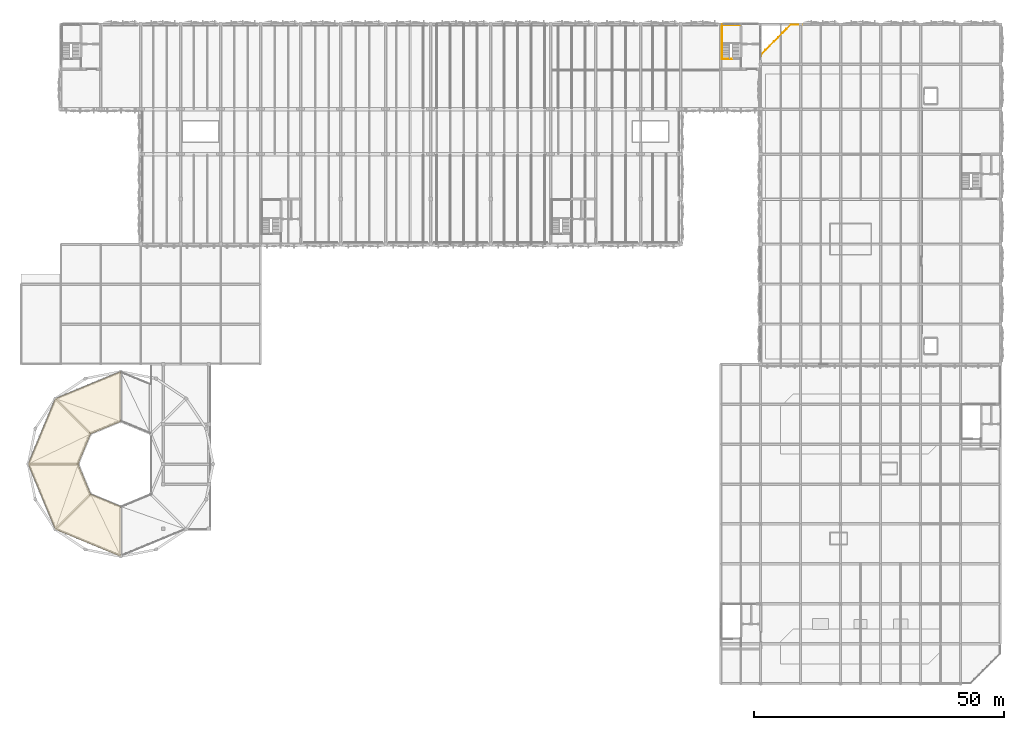
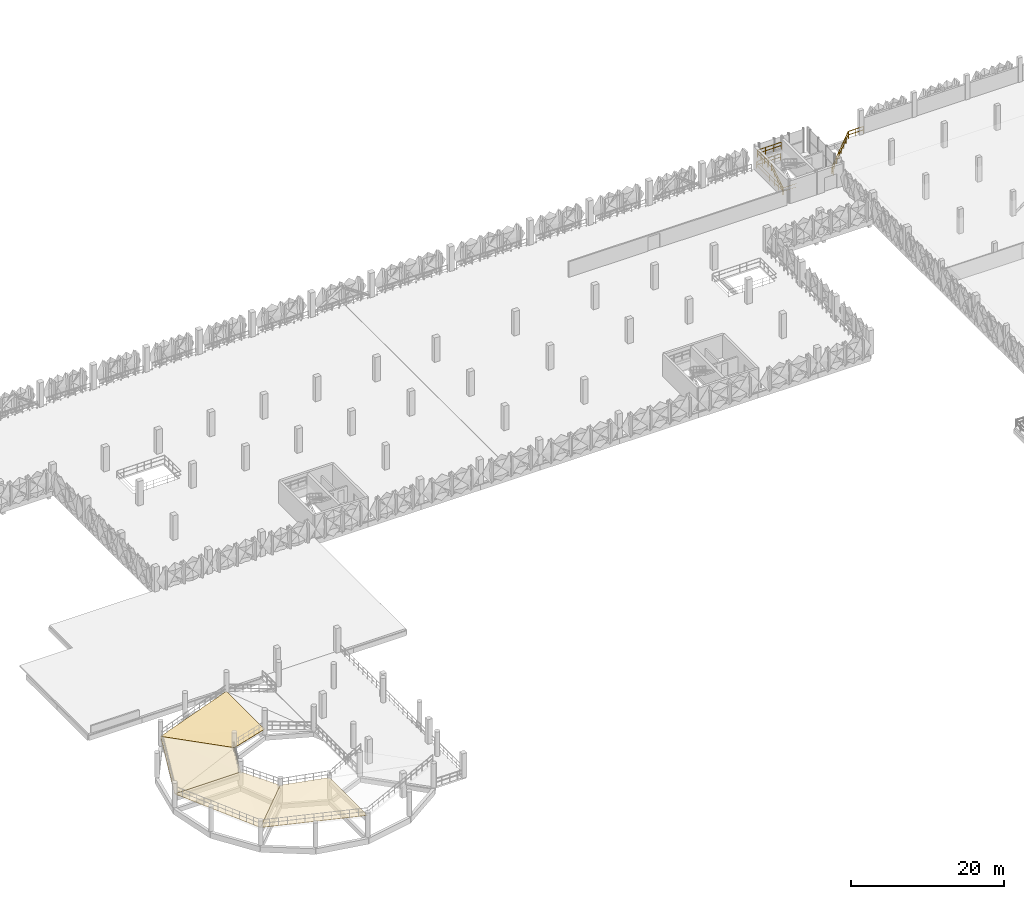
# One storey, part 76 of 76: 4 coverings, 3 railings.
"""IFC4 building model written with IfcOpenShell, lengths in metres."""

import ifcopenshell
import ifcopenshell.guid

model = None  # the IFC model being written
_history = None  # IfcOwnerHistory: only IFC2X3 demands one
_inside = {}  # id of a spatial element -> (the spatial element, [elements in it])
_under = {}  # id of a project, library or spatial element -> (it, [spatial elements below it])
_declared = {}  # id of a project -> (the project, [libraries it declares])
_typed = {}  # id of a type object -> (the type object, [elements of that type])
_made_of = {}  # id of a material, layer set ... -> (it, [elements and type objects made of it])


def new_model(schema):
    """Start an empty IFC model of exactly this schema.

    Asked for "IFC4X3", IfcOpenShell would pick the latest addendum, in which some entities
    have other attributes; the version numbers below select the first issue.
    IFC2X3 requires an IfcOwnerHistory on every rooted entity: one is made here for all.
    """
    global model, _history
    if schema == "IFC4X3":
        model = ifcopenshell.file(schema_version=(4, 3, 0, 0))
    else:
        model = ifcopenshell.file(schema=schema)
    _inside.clear()
    _under.clear()
    _declared.clear()
    _typed.clear()
    _made_of.clear()
    _history = None
    if model.schema == "IFC2X3":
        org = make("IfcOrganization", Name="unknown")
        user = make(
            "IfcPersonAndOrganization",
            ThePerson=make("IfcPerson", FamilyName="unknown"),
            TheOrganization=org,
        )
        app = make(
            "IfcApplication",
            ApplicationDeveloper=org,
            Version="unknown",
            ApplicationFullName="unknown",
            ApplicationIdentifier="unknown",
        )
        _history = make(
            "IfcOwnerHistory",
            OwningUser=user,
            OwningApplication=app,
            ChangeAction="ADDED",
            CreationDate=0,
        )
    return model


def make(cls, **values):
    """One entity of the class cls with the attributes given. An attribute that is None is left unset."""
    return model.create_entity(
        cls, **{name: value for name, value in values.items() if value is not None}
    )


def rooted(cls, **values):
    """An entity with a GlobalId (a new one), such as an element, a storey or a relation."""
    return make(cls, GlobalId=ifcopenshell.guid.new(), OwnerHistory=_history, **values)


def si_unit(unit_type, name, prefix=None):
    """IfcSIUnit, for example si_unit("LENGTHUNIT", "METRE", prefix="MILLI")."""
    return make("IfcSIUnit", UnitType=unit_type, Prefix=prefix, Name=name)


def derived_unit(unit_type, elements):
    """IfcDerivedUnit: a product of units, each with its exponent."""
    return make(
        "IfcDerivedUnit",
        Elements=[
            make("IfcDerivedUnitElement", Unit=unit, Exponent=power)
            for unit, power in elements
        ],
        UnitType=unit_type,
    )


def assignment(units):
    """IfcUnitAssignment: the units of a project."""
    return None if units is None else make("IfcUnitAssignment", Units=units)


def point(xyz):
    """IfcCartesianPoint."""
    return None if xyz is None else make("IfcCartesianPoint", Coordinates=xyz)


def direction(xyz):
    """IfcDirection."""
    return None if xyz is None else make("IfcDirection", DirectionRatios=xyz)


def frame(location, z_axis=None, x_axis=None):
    """IfcAxis2Placement3D, a coordinate frame: its origin and axes. An axis left out is left unset."""
    return make(
        "IfcAxis2Placement3D",
        Location=point(location),
        Axis=direction(z_axis),
        RefDirection=direction(x_axis),
    )


def frame_2d(location, x_axis=None):
    """IfcAxis2Placement2D, a coordinate frame in the plane: its origin and x axis."""
    return make(
        "IfcAxis2Placement2D", Location=point(location), RefDirection=direction(x_axis)
    )


def origin():
    """The frame at (0, 0, 0) with its axes left unset."""
    return frame((0.0, 0.0, 0.0))


def origin_2d():
    """The frame at (0, 0) in the plane with its x axis left unset."""
    return frame_2d((0.0, 0.0))


def place(relative_to, where):
    """IfcLocalPlacement: puts the frame where relative to a parent placement (None: the world)."""
    return make(
        "IfcLocalPlacement", PlacementRelTo=relative_to, RelativePlacement=where
    )


def context(
    kind, dimensions, precision=None, world=None, true_north=None, identifier=None
):
    """IfcGeometricRepresentationContext, for example the 3D "Model" context."""
    return make(
        "IfcGeometricRepresentationContext",
        ContextIdentifier=identifier,
        ContextType=kind,
        CoordinateSpaceDimension=dimensions,
        Precision=precision,
        WorldCoordinateSystem=world,
        TrueNorth=true_north,
    )


def subcontext(parent, identifier, kind, view, scale=None):
    """IfcGeometricRepresentationSubContext, for example "Body" below "Model"."""
    return make(
        "IfcGeometricRepresentationSubContext",
        ContextIdentifier=identifier,
        ContextType=kind,
        ParentContext=parent,
        TargetScale=scale,
        TargetView=view,
    )


def project(units=None, contexts=None):
    """IfcProject with its units and contexts."""
    return rooted(
        "IfcProject",
        Name="project",
        RepresentationContexts=contexts,
        UnitsInContext=assignment(units),
    )


def spatial(cls, under=None, at=None, **own):
    """A site, building, storey or space (cls), placed at a placement, below another one or the project."""
    s = rooted(cls, ObjectPlacement=at, **own)
    if under is not None:
        _under.setdefault(under.id(), (under, []))[1].append(s)
    return s


def point_list(points):
    """IfcCartesianPointList2D or 3D."""
    cls = (
        "IfcCartesianPointList2D" if len(points[0]) == 2 else "IfcCartesianPointList3D"
    )
    return make(cls, CoordList=points)


def profile(cls, at=None, kind="AREA", **sizes):
    """A parametric profile (cls). Its sizes go by their IFC names, for example OverallWidth=200.0."""
    return make(cls, ProfileType=kind, Position=at, **sizes)


def circle(**sizes):
    """IfcCircleProfileDef."""
    return profile("IfcCircleProfileDef", **sizes)


def extrude(swept, where, along, depth):
    """IfcExtrudedAreaSolid: the profile swept, set in the frame where, extruded along a direction by depth."""
    return make(
        "IfcExtrudedAreaSolid",
        SweptArea=swept,
        Position=where,
        ExtrudedDirection=direction(along),
        Depth=depth,
    )


def polygons(points, faces, closed=None, point_numbers=None):
    """IfcPolygonalFaceSet: a face is its outer loop, then its inner loops; points numbered from 1."""
    made = []
    for loops in faces:
        if len(loops) == 1:
            made.append(make("IfcIndexedPolygonalFace", CoordIndex=loops[0]))
        else:
            made.append(
                make(
                    "IfcIndexedPolygonalFaceWithVoids",
                    CoordIndex=loops[0],
                    InnerCoordIndices=loops[1:],
                )
            )
    return make(
        "IfcPolygonalFaceSet",
        Coordinates=point_list(points),
        Closed=closed,
        Faces=made,
        PnIndex=point_numbers,
    )


def shape(context_of_items, identifier, shape_type, items):
    """IfcShapeRepresentation: the items that make up one representation, for example the "Body"."""
    return make(
        "IfcShapeRepresentation",
        ContextOfItems=context_of_items,
        RepresentationIdentifier=identifier,
        RepresentationType=shape_type,
        Items=items,
    )


def material(Name=None, Category=None):
    """IfcMaterial."""
    return make("IfcMaterial", Name=Name, Category=Category)


def layer(
    of_material, thickness, ventilated=None, Name=None, Category=None, Priority=None
):
    """IfcMaterialLayer: one layer of a wall or slab, of a material (None: an air gap)."""
    return make(
        "IfcMaterialLayer",
        Material=of_material,
        LayerThickness=thickness,
        IsVentilated=ventilated,
        Name=Name,
        Category=Category,
        Priority=Priority,
    )


def layer_set(layers, Name=None):
    """IfcMaterialLayerSet."""
    return make("IfcMaterialLayerSet", MaterialLayers=layers, LayerSetName=Name)


def made_of(thing, what):
    """Note that an element or type object is made of a material, layer set ...; save() writes the relation."""
    if what is not None:
        _made_of.setdefault(what.id(), (what, []))[1].append(thing)
    return thing


def type_object(cls, material=None, **own):
    """A type object (cls), such as IfcWallType, which elements share."""
    return made_of(rooted(cls, **own), material)


def element(
    cls,
    number,
    at=None,
    inside=None,
    cuts=None,
    type_object=None,
    material=None,
    context=None,
    identifier="Body",
    shape_type=None,
    held_by="IfcProductDefinitionShape",
    body=None,
    shapes=None,
    **own,
):
    """One element of the class cls, such as IfcWall. Its Tag is "e" and its number.

    at: its placement. inside: the storey or other place that contains it. cuts: it is an
    opening in that element (IfcRelVoidsElement). A single representation is given by context,
    identifier, shape_type and body (its items); several are given by shapes. held_by: the class
    of the entity that holds the representations. save() writes the other relations.
    """
    e = rooted(cls, Tag="e%d" % number, ObjectPlacement=at, **own)
    if body is not None:
        shapes = [shape(context, identifier, shape_type, body)]
    if shapes is not None:
        e.Representation = make(held_by, Representations=shapes)
    if inside is not None:
        _inside.setdefault(inside.id(), (inside, []))[1].append(e)
    if cuts is not None:
        rooted(
            "IfcRelVoidsElement", RelatingBuildingElement=cuts, RelatedOpeningElement=e
        )
    if type_object is not None:
        _typed.setdefault(type_object.id(), (type_object, []))[1].append(e)
    return made_of(e, material)


def aggregate(whole, parts):
    """IfcRelAggregates: a whole, such as a stair, and the parts it consists of."""
    return rooted("IfcRelAggregates", RelatingObject=whole, RelatedObjects=parts)


def save(model, path):
    """Write the relations noted so far, then the file.

    IfcRelAggregates (storeys below a building ...), IfcRelContainedInSpatialStructure (elements
    in a storey), IfcRelDefinesByType, IfcRelAssociatesMaterial and IfcRelDeclares: one each for
    every whole, place, type object, material and project.
    """
    for whole, parts in _under.values():
        aggregate(whole, parts)
    for where, things in _inside.values():
        rooted(
            "IfcRelContainedInSpatialStructure",
            RelatedElements=things,
            RelatingStructure=where,
        )
    for kind, things in _typed.values():
        rooted("IfcRelDefinesByType", RelatedObjects=things, RelatingType=kind)
    for what, things in _made_of.values():
        rooted("IfcRelAssociatesMaterial", RelatedObjects=things, RelatingMaterial=what)
    for by, libraries in _declared.values():
        rooted("IfcRelDeclares", RelatingContext=by, RelatedDefinitions=libraries)
    model.write(path)


model = new_model("IFC4")

# Units and contexts
model_context = context("Model", 3, precision=1e-05, world=origin(), true_north=direction((0.0, 1.0)))
body_context = subcontext(model_context, "Body", "Model", "MODEL_VIEW")
ifc_project = project(units=[si_unit("LENGTHUNIT", "METRE"), si_unit("AREAUNIT", "SQUARE_METRE"), si_unit("VOLUMEUNIT", "CUBIC_METRE"), si_unit("PLANEANGLEUNIT", "RADIAN"), si_unit("MASSUNIT", "GRAM", prefix="KILO"), si_unit("THERMODYNAMICTEMPERATUREUNIT", "KELVIN"), derived_unit("THERMALTRANSMITTANCEUNIT", [(si_unit("POWERUNIT", "WATT"), 1), (si_unit("AREAUNIT", "SQUARE_METRE"), -1), (si_unit("THERMODYNAMICTEMPERATUREUNIT", "KELVIN"), -1)])], contexts=[model_context])

# Site, building, storey
site_placement = place(None, origin())
site = spatial("IfcSite", under=ifc_project, at=site_placement, CompositionType="ELEMENT")
building_placement = place(site_placement, origin())
building = spatial("IfcBuilding", under=site, at=building_placement, Name="Haiyu Intermodal Mobility Hub", CompositionType="ELEMENT")
storey_placement = place(building_placement, frame((0.0, 0.0, 17.300048828125)))
storey = spatial("IfcBuildingStorey", under=building, at=storey_placement, Name="L04", CompositionType="ELEMENT", Elevation=17.300048828125)

# Coverings
ifc_material_1 = material(Name="Acrylic sports court surfacing")
ifc_layer = layer(ifc_material_1, 0.030029296875)
ifc_layer_set = layer_set([ifc_layer], Name="Acrylic sports court surfacing")
covering_type = type_object("IfcCoveringType", Name="COV-CV07", PredefinedType="FLOORING", material=ifc_layer_set)
covering_1_placement = place(storey_placement, origin())
element("IfcCovering", 1, at=covering_1_placement, inside=storey, type_object=covering_type, Name="COV-RMP-VEH-L04-02", PredefinedType="FLOORING", context=body_context, shape_type="Tessellation", body=[
    polygons([(34.0, 68.5, 0.64990234375), (34.0, 78.5, 0.64990234375), (20.9189453125, 73.0810546875, 1.300048828125), (27.989990234375, 66.010009765625, 1.300048828125), (34.0, 68.5, 0.695068359375), (34.0, 78.5, 0.695068359375), (20.9189453125, 73.0810546875, 1.344970703125), (27.989990234375, 66.010009765625, 1.344970703125)], [[[4, 3, 2, 1]], [[5, 6, 7, 8]], [[1, 2, 6, 5]], [[2, 3, 7, 6]], [[3, 4, 8, 7]], [[4, 1, 5, 8]]], closed=True),
])
covering_2_placement = place(storey_placement, origin())
element("IfcCovering", 2, at=covering_2_placement, inside=storey, type_object=covering_type, Name="COV-RMP-VEH-L04-03", PredefinedType="FLOORING", context=body_context, shape_type="Tessellation", body=[
    polygons([(27.989990234375, 66.010009765625, 1.300048828125), (20.9189453125, 73.0810546875, 1.300048828125), (15.5, 60.0, 1.949951171875), (25.5, 60.0, 1.949951171875), (27.989990234375, 66.010009765625, 1.344970703125), (20.9189453125, 73.0810546875, 1.344970703125), (15.5, 60.0, 1.994873046875), (25.5, 60.0, 1.994873046875)], [[[4, 3, 2, 1]], [[5, 6, 7, 8]], [[1, 2, 6, 5]], [[2, 3, 7, 6]], [[3, 4, 8, 7]], [[4, 1, 5, 8]]], closed=True),
])
covering_3_placement = place(storey_placement, origin())
element("IfcCovering", 3, at=covering_3_placement, inside=storey, type_object=covering_type, Name="COV-RMP-VEH-L04-04", PredefinedType="FLOORING", context=body_context, shape_type="Tessellation", body=[
    polygons([(25.5, 60.0, 1.949951171875), (15.5, 60.0, 1.949951171875), (20.9189453125, 46.9189453125, 2.599853515625), (27.989990234375, 53.989990234375, 2.599853515625), (25.5, 60.0, 1.994873046875), (15.5, 60.0, 1.994873046875), (20.9189453125, 46.9189453125, 2.64501953125), (27.989990234375, 53.989990234375, 2.64501953125)], [[[4, 3, 2, 1]], [[5, 6, 7, 8]], [[1, 2, 6, 5]], [[2, 3, 7, 6]], [[3, 4, 8, 7]], [[4, 1, 5, 8]]], closed=True),
])
covering_4_placement = place(storey_placement, origin())
element("IfcCovering", 4, at=covering_4_placement, inside=storey, type_object=covering_type, Name="COV-RMP-VEH-L04-05", PredefinedType="FLOORING", context=body_context, shape_type="Tessellation", body=[
    polygons([(27.989990234375, 53.989990234375, 2.599853515625), (20.9189453125, 46.9189453125, 2.599853515625), (34.0, 41.5, 3.25), (34.0, 51.5, 3.25), (27.989990234375, 53.989990234375, 2.64501953125), (20.9189453125, 46.9189453125, 2.64501953125), (34.0, 41.5, 3.294921875), (34.0, 51.5, 3.294921875)], [[[4, 3, 2, 1]], [[5, 6, 7, 8]], [[1, 2, 6, 5]], [[2, 3, 7, 6]], [[3, 4, 8, 7]], [[4, 1, 5, 8]]], closed=True),
])

# Railings
ifc_material_2 = material(Name="Steel Q355C", Category="steel")
railing_type = type_object("IfcRailingType", Name="RAL-GR03", PredefinedType="GUARDRAIL", material=ifc_material_2)
railing_1_placement = place(storey_placement, frame((162.139892578125, 141.60009765625, 0.0)))
element("IfcRailing", 5, at=railing_1_placement, inside=storey, type_object=railing_type, Name="RAL-V6CH-L04", PredefinedType="GUARDRAIL", context=body_context, shape_type="SweptSolid", body=[
    extrude(circle(Radius=0.02392578125, at=origin_2d()), frame((0.0, 0.030029296875, 1.1259765625), z_axis=(0.0, 1.0, 0.0), x_axis=(-1.0, 0.0, 0.0)), (0.0, 0.0, 1.0), 0.289794921875),
    extrude(circle(Radius=0.02392578125, at=origin_2d()), frame((0.0, 0.037353515625, 0.574951171875), z_axis=(0.0, 1.0, 0.0), x_axis=(-1.0, 0.0, 0.0)), (0.0, 0.0, 1.0), 0.275146484375),
    extrude(circle(Radius=0.02392578125, at=origin_2d()), frame((0.021240234375, 0.37109375, 1.1259765625), z_axis=(0.705924782292, 0.708286807547, 0.0), x_axis=(-0.708286807547, 0.705924782292, 0.0)), (0.0, 0.0, 1.0), 8.312255859375),
    extrude(circle(Radius=0.02392578125, at=origin_2d()), frame((0.0263671875, 0.376220703125, 0.574951171875), z_axis=(0.705924782292, 0.708286807547, 0.0), x_axis=(-0.708286807547, 0.705924782292, 0.0)), (0.0, 0.0, 1.0), 1.121337890625),
    extrude(circle(Radius=0.02392578125, at=origin_2d()), frame((0.87060546875, 1.223388671875, 0.574951171875), z_axis=(0.705924782292, 0.708286807547, 0.0), x_axis=(-0.708286807547, 0.705924782292, 0.0)), (0.0, 0.0, 1.0), 1.121337890625),
    extrude(circle(Radius=0.02392578125, at=origin_2d()), frame((1.71484375, 2.070556640625, 0.574951171875), z_axis=(0.705924782292, 0.708286807547, 0.0), x_axis=(-0.708286807547, 0.705924782292, 0.0)), (0.0, 0.0, 1.0), 1.121337890625),
    extrude(circle(Radius=0.02392578125, at=origin_2d()), frame((2.559326171875, 2.917724609375, 0.574951171875), z_axis=(0.705924782292, 0.708286807547, 0.0), x_axis=(-0.708286807547, 0.705924782292, 0.0)), (0.0, 0.0, 1.0), 1.121337890625),
    extrude(circle(Radius=0.02392578125, at=origin_2d()), frame((3.403564453125, 3.764892578125, 0.574951171875), z_axis=(0.705924782292, 0.708286807547, 0.0), x_axis=(-0.708286807547, 0.705924782292, 0.0)), (0.0, 0.0, 1.0), 1.121337890625),
    extrude(circle(Radius=0.02392578125, at=origin_2d()), frame((4.247802734375, 4.61181640625, 0.574951171875), z_axis=(0.705924782292, 0.708286807547, 0.0), x_axis=(-0.708286807547, 0.705924782292, 0.0)), (0.0, 0.0, 1.0), 1.121337890625),
    extrude(circle(Radius=0.02392578125, at=origin_2d()), frame((5.09228515625, 5.458984375, 0.574951171875), z_axis=(0.705924782292, 0.708286807547, 0.0), x_axis=(-0.708286807547, 0.705924782292, 0.0)), (0.0, 0.0, 1.0), 1.121337890625),
    extrude(circle(Radius=0.02392578125, at=origin_2d()), frame((5.940185546875, 6.27978515625, 1.1259765625), z_axis=(1.0, 0.0, 0.0), x_axis=(0.0, 1.0, 0.0)), (0.0, 0.0, 1.0), 2.18994140625),
    extrude(circle(Radius=0.02392578125, at=origin_2d()), frame((5.947509765625, 6.27978515625, 0.574951171875), z_axis=(1.0, 0.0, 0.0), x_axis=(0.0, 1.0, 0.0)), (0.0, 0.0, 1.0), 1.05029296875),
    extrude(circle(Radius=0.02392578125, at=origin_2d()), frame((7.072509765625, 6.27978515625, 0.574951171875), z_axis=(1.0, 0.0, 0.0), x_axis=(0.0, 1.0, 0.0)), (0.0, 0.0, 1.0), 1.05029296875),
    extrude(circle(Radius=0.02099609375, at=origin_2d()), origin(), (0.0, 0.0, 1.0), 1.09375),
    extrude(circle(Radius=0.02099609375, at=origin_2d()), frame((0.0, 0.349853515625, 0.0)), (0.0, 0.0, 1.0), 1.09375),
    extrude(circle(Radius=0.02099609375, at=origin_2d()), frame((0.84423828125, 1.197021484375, 0.0)), (0.0, 0.0, 1.0), 1.09375),
    extrude(circle(Radius=0.02099609375, at=origin_2d()), frame((1.688720703125, 2.044189453125, 0.0)), (0.0, 0.0, 1.0), 1.09375),
    extrude(circle(Radius=0.02099609375, at=origin_2d()), frame((2.532958984375, 2.891357421875, 0.0)), (0.0, 0.0, 1.0), 1.09375),
    extrude(circle(Radius=0.02099609375, at=origin_2d()), frame((3.377197265625, 3.73828125, 0.0)), (0.0, 0.0, 1.0), 1.09375),
    extrude(circle(Radius=0.02099609375, at=origin_2d()), frame((4.221435546875, 4.58544921875, 0.0)), (0.0, 0.0, 1.0), 1.09375),
    extrude(circle(Radius=0.02099609375, at=origin_2d()), frame((5.06591796875, 5.4326171875, 0.0)), (0.0, 0.0, 1.0), 1.09375),
    extrude(circle(Radius=0.02099609375, at=origin_2d()), frame((5.91015625, 6.27978515625, 0.0)), (0.0, 0.0, 1.0), 1.09375),
    extrude(circle(Radius=0.02099609375, at=origin_2d()), frame((7.03515625, 6.27978515625, 0.0)), (0.0, 0.0, 1.0), 1.09375),
    extrude(circle(Radius=0.02099609375, at=origin_2d()), frame((8.16015625, 6.27978515625, 0.0)), (0.0, 0.0, 1.0), 1.09375),
])
railing_2_placement = place(storey_placement, frame((156.31005859375, 141.010009765625, 0.0)))
element("IfcRailing", 6, at=railing_2_placement, inside=storey, type_object=railing_type, Name="Stair Shaft Floor Guard STR-C4-L03", PredefinedType="GUARDRAIL", context=body_context, shape_type="SweptSolid", body=[
    extrude(circle(Radius=0.02392578125, at=origin_2d()), frame((-0.030029296875, 0.0, 1.09619140625), z_axis=(-1.0, 0.0, 0.0), x_axis=(0.0, -1.0, 0.0)), (0.0, 0.0, 1.0), 2.030029296875),
    extrude(circle(Radius=0.02392578125, at=origin_2d()), frame((-0.037353515625, 0.0, 0.56005859375), z_axis=(-1.0, 0.0, 0.0), x_axis=(0.0, -1.0, 0.0)), (0.0, 0.0, 1.0), 0.970458984375),
    extrude(circle(Radius=0.02392578125, at=origin_2d()), frame((-1.082275390625, 0.0, 0.56005859375), z_axis=(-1.0, 0.0, 0.0), x_axis=(0.0, -1.0, 0.0)), (0.0, 0.0, 1.0), 0.970458984375),
    extrude(circle(Radius=0.02392578125, at=origin_2d()), frame((-2.090087890625, 0.030029296875, 1.09619140625), z_axis=(0.0, 1.0, 0.0), x_axis=(-1.0, 0.0, 0.0)), (0.0, 0.0, 1.0), 6.8798828125),
    extrude(circle(Radius=0.02392578125, at=origin_2d()), frame((-2.090087890625, 0.037353515625, 0.56005859375), z_axis=(0.0, 1.0, 0.0), x_axis=(-1.0, 0.0, 0.0)), (0.0, 0.0, 1.0), 1.08203125),
    extrude(circle(Radius=0.02392578125, at=origin_2d()), frame((-2.090087890625, 1.19384765625, 0.56005859375), z_axis=(0.0, 1.0, 0.0), x_axis=(-1.0, 0.0, 0.0)), (0.0, 0.0, 1.0), 1.08203125),
    extrude(circle(Radius=0.02392578125, at=origin_2d()), frame((-2.090087890625, 2.3505859375, 0.56005859375), z_axis=(0.0, 1.0, 0.0), x_axis=(-1.0, 0.0, 0.0)), (0.0, 0.0, 1.0), 1.08203125),
    extrude(circle(Radius=0.02392578125, at=origin_2d()), frame((-2.090087890625, 3.50732421875, 0.56005859375), z_axis=(0.0, 1.0, 0.0), x_axis=(-1.0, 0.0, 0.0)), (0.0, 0.0, 1.0), 1.08203125),
    extrude(circle(Radius=0.02392578125, at=origin_2d()), frame((-2.090087890625, 4.663818359375, 0.56005859375), z_axis=(0.0, 1.0, 0.0), x_axis=(-1.0, 0.0, 0.0)), (0.0, 0.0, 1.0), 1.08203125),
    extrude(circle(Radius=0.02392578125, at=origin_2d()), frame((-2.090087890625, 5.820556640625, 0.56005859375), z_axis=(0.0, 1.0, 0.0), x_axis=(-1.0, 0.0, 0.0)), (0.0, 0.0, 1.0), 1.08203125),
    extrude(circle(Radius=0.02392578125, at=origin_2d()), frame((-2.06005859375, 6.93994140625, 1.09619140625), z_axis=(1.0, 0.0, 0.0), x_axis=(0.0, 1.0, 0.0)), (0.0, 0.0, 1.0), 3.590087890625),
    extrude(circle(Radius=0.02392578125, at=origin_2d()), frame((-2.052734375, 6.93994140625, 0.56005859375), z_axis=(1.0, 0.0, 0.0), x_axis=(0.0, 1.0, 0.0)), (0.0, 0.0, 1.0), 0.837890625),
    extrude(circle(Radius=0.02392578125, at=origin_2d()), frame((-1.14013671875, 6.93994140625, 0.56005859375), z_axis=(1.0, 0.0, 0.0), x_axis=(0.0, 1.0, 0.0)), (0.0, 0.0, 1.0), 0.837890625),
    extrude(circle(Radius=0.02392578125, at=origin_2d()), frame((-0.227783203125, 6.93994140625, 0.56005859375), z_axis=(1.0, 0.0, 0.0), x_axis=(0.0, 1.0, 0.0)), (0.0, 0.0, 1.0), 0.837890625),
    extrude(circle(Radius=0.02392578125, at=origin_2d()), frame((0.684814453125, 6.93994140625, 0.56005859375), z_axis=(1.0, 0.0, 0.0), x_axis=(0.0, 1.0, 0.0)), (0.0, 0.0, 1.0), 0.837890625),
    extrude(circle(Radius=0.02099609375, at=origin_2d()), origin(), (0.0, 0.0, 1.0), 1.06396484375),
    extrude(circle(Radius=0.02099609375, at=origin_2d()), frame((-1.044921875, 0.0, 0.0)), (0.0, 0.0, 1.0), 1.06396484375),
    extrude(circle(Radius=0.02099609375, at=origin_2d()), frame((-2.090087890625, 0.0, 0.0)), (0.0, 0.0, 1.0), 1.06396484375),
    extrude(circle(Radius=0.02099609375, at=origin_2d()), frame((-2.090087890625, 1.15673828125, 0.0)), (0.0, 0.0, 1.0), 1.06396484375),
    extrude(circle(Radius=0.02099609375, at=origin_2d()), frame((-2.090087890625, 2.313232421875, 0.0)), (0.0, 0.0, 1.0), 1.06396484375),
    extrude(circle(Radius=0.02099609375, at=origin_2d()), frame((-2.090087890625, 3.469970703125, 0.0)), (0.0, 0.0, 1.0), 1.06396484375),
    extrude(circle(Radius=0.02099609375, at=origin_2d()), frame((-2.090087890625, 4.626708984375, 0.0)), (0.0, 0.0, 1.0), 1.06396484375),
    extrude(circle(Radius=0.02099609375, at=origin_2d()), frame((-2.090087890625, 5.783203125, 0.0)), (0.0, 0.0, 1.0), 1.06396484375),
    extrude(circle(Radius=0.02099609375, at=origin_2d()), frame((-2.090087890625, 6.93994140625, 0.0)), (0.0, 0.0, 1.0), 1.06396484375),
    extrude(circle(Radius=0.02099609375, at=origin_2d()), frame((-1.177490234375, 6.93994140625, 0.0)), (0.0, 0.0, 1.0), 1.06396484375),
    extrude(circle(Radius=0.02099609375, at=origin_2d()), frame((-0.26513671875, 6.93994140625, 0.0)), (0.0, 0.0, 1.0), 1.06396484375),
    extrude(circle(Radius=0.02099609375, at=origin_2d()), frame((0.6474609375, 6.93994140625, 0.0)), (0.0, 0.0, 1.0), 1.06396484375),
    extrude(circle(Radius=0.02099609375, at=origin_2d()), frame((1.56005859375, 6.93994140625, 0.0)), (0.0, 0.0, 1.0), 1.06396484375),
])
railing_3_placement = place(storey_placement, frame((154.25, 141.050048828125, 0.0)))
element("IfcRailing", 7, at=railing_3_placement, inside=storey, type_object=railing_type, Name="Stair Outer Guard STR-C4-L04", PredefinedType="GUARDRAIL", context=body_context, shape_type="SweptSolid", body=[
    extrude(circle(Radius=0.02392578125, at=origin_2d()), frame((0.0, 0.025390625, 1.112060546875), z_axis=(0.0, 0.844894753029, 0.534932571736), x_axis=(-1.0, 0.0, 0.0)), (0.0, 0.0, 1.0), 3.585205078125),
    extrude(circle(Radius=0.02392578125, at=origin_2d()), frame((0.0, 0.031494140625, 0.580078125), z_axis=(0.0, 0.844894753029, 0.534932571736), x_axis=(-1.0, 0.0, 0.0)), (0.0, 0.0, 1.0), 0.836669921875),
    extrude(circle(Radius=0.02392578125, at=origin_2d()), frame((0.0, 0.801513671875, 1.0673828125), z_axis=(0.0, 0.844894753029, 0.534932571736), x_axis=(-1.0, 0.0, 0.0)), (0.0, 0.0, 1.0), 0.836669921875),
    extrude(circle(Radius=0.02392578125, at=origin_2d()), frame((0.0, 1.571533203125, 1.554931640625), z_axis=(0.0, 0.844894753029, 0.534932571736), x_axis=(-1.0, 0.0, 0.0)), (0.0, 0.0, 1.0), 0.836669921875),
    extrude(circle(Radius=0.02392578125, at=origin_2d()), frame((0.0, 2.34130859375, 2.04248046875), z_axis=(0.0, 0.844894753029, 0.534932571736), x_axis=(-1.0, 0.0, 0.0)), (0.0, 0.0, 1.0), 0.836669921875),
    extrude(circle(Radius=0.02392578125, at=origin_2d()), frame((0.0, 3.10986328125, 3.0458984375), z_axis=(0.0, 1.0, 0.0), x_axis=(-1.0, 0.0, 0.0)), (0.0, 0.0, 1.0), 3.570068359375),
    extrude(circle(Radius=0.02392578125, at=origin_2d()), frame((0.0, 3.1171875, 2.510009765625), z_axis=(0.0, 1.0, 0.0), x_axis=(-1.0, 0.0, 0.0)), (0.0, 0.0, 1.0), 0.8330078125),
    extrude(circle(Radius=0.02392578125, at=origin_2d()), frame((0.0, 4.024658203125, 2.510009765625), z_axis=(0.0, 1.0, 0.0), x_axis=(-1.0, 0.0, 0.0)), (0.0, 0.0, 1.0), 0.8330078125),
    extrude(circle(Radius=0.02392578125, at=origin_2d()), frame((0.0, 4.93212890625, 2.510009765625), z_axis=(0.0, 1.0, 0.0), x_axis=(-1.0, 0.0, 0.0)), (0.0, 0.0, 1.0), 0.8330078125),
    extrude(circle(Radius=0.02392578125, at=origin_2d()), frame((0.0, 5.83984375, 2.510009765625), z_axis=(0.0, 1.0, 0.0), x_axis=(-1.0, 0.0, 0.0)), (0.0, 0.0, 1.0), 0.8330078125),
    extrude(circle(Radius=0.02392578125, at=origin_2d()), frame((0.030029296875, 6.7099609375, 3.0458984375), z_axis=(1.0, 0.0, 0.0), x_axis=(0.0, 1.0, 0.0)), (0.0, 0.0, 1.0), 3.52001953125),
    extrude(circle(Radius=0.02392578125, at=origin_2d()), frame((0.037353515625, 6.7099609375, 2.510009765625), z_axis=(1.0, 0.0, 0.0), x_axis=(0.0, 1.0, 0.0)), (0.0, 0.0, 1.0), 1.11865234375),
    extrude(circle(Radius=0.02392578125, at=origin_2d()), frame((1.230712890625, 6.7099609375, 2.510009765625), z_axis=(1.0, 0.0, 0.0), x_axis=(0.0, 1.0, 0.0)), (0.0, 0.0, 1.0), 1.11865234375),
    extrude(circle(Radius=0.02392578125, at=origin_2d()), frame((2.424072265625, 6.7099609375, 2.510009765625), z_axis=(1.0, 0.0, 0.0), x_axis=(0.0, 1.0, 0.0)), (0.0, 0.0, 1.0), 1.11865234375),
    extrude(circle(Radius=0.02099609375, at=origin_2d()), origin(), (0.0, 0.0, 1.0), 1.06396484375),
    extrude(circle(Radius=0.02099609375, at=origin_2d()), frame((0.0, 0.77001953125, 0.487548828125)), (0.0, 0.0, 1.0), 1.06396484375),
    extrude(circle(Radius=0.02099609375, at=origin_2d()), frame((0.0, 1.5400390625, 0.97509765625)), (0.0, 0.0, 1.0), 1.06396484375),
    extrude(circle(Radius=0.02099609375, at=origin_2d()), frame((0.0, 2.309814453125, 1.46240234375)), (0.0, 0.0, 1.0), 1.06396484375),
    extrude(circle(Radius=0.02099609375, at=origin_2d()), frame((0.0, 3.079833984375, 1.949951171875)), (0.0, 0.0, 1.0), 1.06396484375),
    extrude(circle(Radius=0.02099609375, at=origin_2d()), frame((0.0, 3.9873046875, 1.949951171875)), (0.0, 0.0, 1.0), 1.06396484375),
    extrude(circle(Radius=0.02099609375, at=origin_2d()), frame((0.0, 4.89501953125, 1.949951171875)), (0.0, 0.0, 1.0), 1.06396484375),
    extrude(circle(Radius=0.02099609375, at=origin_2d()), frame((0.0, 5.802490234375, 1.949951171875)), (0.0, 0.0, 1.0), 1.06396484375),
    extrude(circle(Radius=0.02099609375, at=origin_2d()), frame((0.0, 6.7099609375, 1.949951171875)), (0.0, 0.0, 1.0), 1.06396484375),
    extrude(circle(Radius=0.02099609375, at=origin_2d()), frame((1.193359375, 6.7099609375, 1.949951171875)), (0.0, 0.0, 1.0), 1.06396484375),
    extrude(circle(Radius=0.02099609375, at=origin_2d()), frame((2.38671875, 6.7099609375, 1.949951171875)), (0.0, 0.0, 1.0), 1.06396484375),
    extrude(circle(Radius=0.02099609375, at=origin_2d()), frame((3.580078125, 6.7099609375, 1.949951171875)), (0.0, 0.0, 1.0), 1.06396484375),
])

save(model, "model.ifc")
